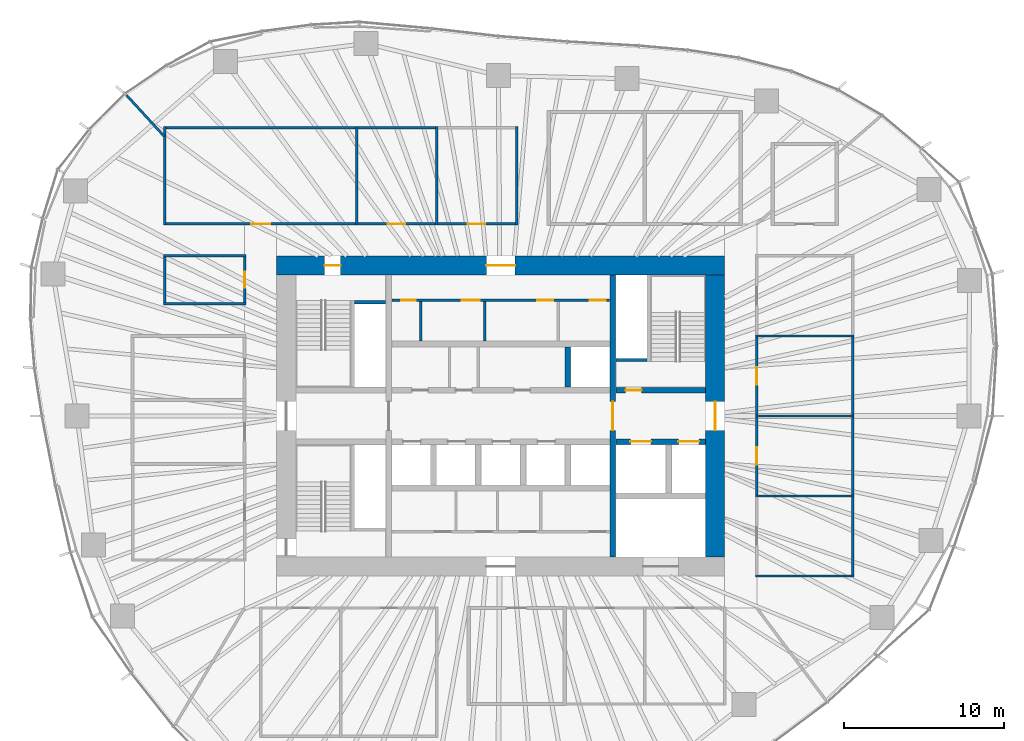
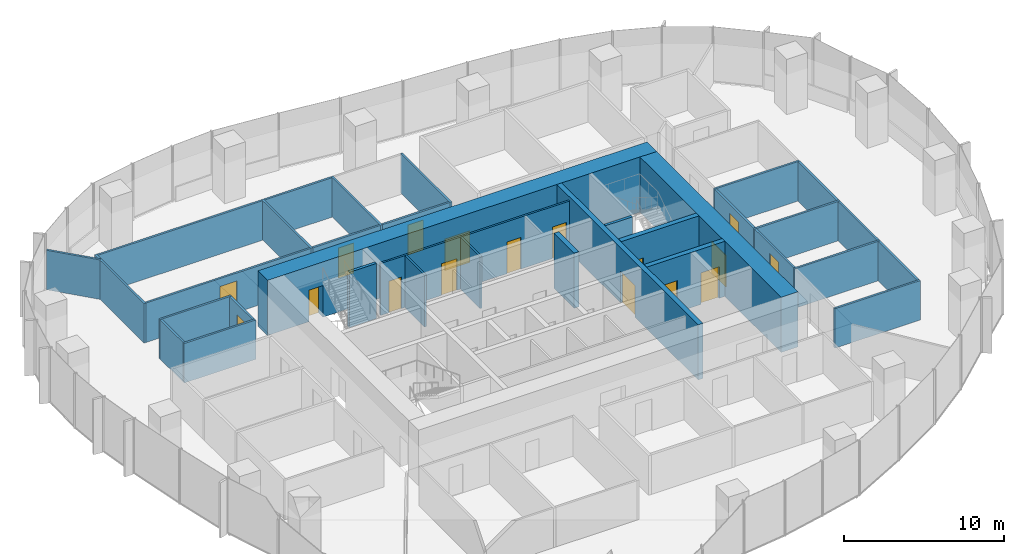
# One storey, part 10 of 18: 34 walls, 17 doors, 17 openings.
"""IFC4 building model written with IfcOpenShell, lengths in metres."""

from ifc_helpers import new_model, si_unit, direction, frame, frame_2d, origin, place, context, subcontext, project, spatial, rectangle, extrude, material, layer, layer_set, type_object, element, fill, save


model = new_model("IFC4")

# Units and contexts
model_context = context("Model", 3, precision=1e-05, world=origin(), true_north=direction((0.0, 1.0)))
body_context = subcontext(model_context, "Body", "Model", "MODEL_VIEW")
ifc_project = project(units=[si_unit("LENGTHUNIT", "METRE"), si_unit("AREAUNIT", "SQUARE_METRE"), si_unit("VOLUMEUNIT", "CUBIC_METRE"), si_unit("PLANEANGLEUNIT", "RADIAN"), si_unit("MASSUNIT", "GRAM", prefix="KILO")], contexts=[model_context])

# Site, building, storey
site_placement = place(None, origin())
site = spatial("IfcSite", under=ifc_project, at=site_placement, CompositionType="ELEMENT")
building_placement = place(site_placement, origin())
building = spatial("IfcBuilding", under=site, at=building_placement, Name="Ghaith Harvest Tower", CompositionType="ELEMENT")
storey_placement = place(building_placement, frame((0.0, 0.0, 130.199951171875)))
storey = spatial("IfcBuildingStorey", under=building, at=storey_placement, Name="L27", CompositionType="ELEMENT", Elevation=130.199951171875)

# Wall, openings, doors
ifc_material_1 = material(Name="Concrete blockwork, fair-faced", Category="masonry")
ifc_layer_1 = layer(ifc_material_1, 0.139892578125)
ifc_layer_set_1 = layer_set([ifc_layer_1], Name="CORE PARTITION 140")
wall_type_1 = type_object("IfcWallType", Name="CORE PARTITION 140", PredefinedType="PARTITIONING", material=ifc_layer_set_1)
wall_1_placement = place(storey_placement, frame((-6.800048828125, 7.22998046875, 0.0), z_axis=(0.0, 0.0, 1.0), x_axis=(1.0, 0.0, 0.0)))
wall_1 = element("IfcWall", 1, at=wall_1_placement, inside=storey, type_object=wall_type_1, Name="Core partition L27", PredefinedType="PARTITIONING", context=body_context, shape_type="SweptSolid", body=[
    extrude(rectangle(XDim=13.60009765625, YDim=0.139892578125, at=frame_2d((6.800048828125, 0.0))), origin(), (0.0, 0.0, 1.0), 3.949951171875),
])
opening_1_placement = place(wall_1_placement, frame((0.580078125, 0.0, 0.0)))
opening_1 = element("IfcOpeningElement", 2, at=opening_1_placement, cuts=wall_1, Name="Opening 27-008", PredefinedType="OPENING", context=body_context, shape_type="SweptSolid", body=[
    extrude(rectangle(XDim=0.89990234375, YDim=2.39990234375, at=frame_2d((0.449951171875, 1.199951171875))), frame((0.0, 0.080078125, 0.0), z_axis=(0.0, -1.0, 0.0), x_axis=(1.0, 0.0, 0.0)), (0.0, 0.0, 1.0), 0.159912109375),
])
opening_2_placement = place(wall_1_placement, frame((4.3798828125, 0.0, 0.0)))
opening_2 = element("IfcOpeningElement", 3, at=opening_2_placement, cuts=wall_1, Name="Opening 27-009", PredefinedType="OPENING", context=body_context, shape_type="SweptSolid", body=[
    extrude(rectangle(XDim=1.10009765625, YDim=2.39990234375, at=frame_2d((0.550048828125, 1.199951171875))), frame((0.0, 0.080078125, 0.0), z_axis=(0.0, -1.0, 0.0), x_axis=(1.0, 0.0, 0.0)), (0.0, 0.0, 1.0), 0.159912109375),
])
opening_3_placement = place(wall_1_placement, frame((9.080078125, 0.0, 0.0)))
opening_3 = element("IfcOpeningElement", 4, at=opening_3_placement, cuts=wall_1, Name="Opening 27-010", PredefinedType="OPENING", context=body_context, shape_type="SweptSolid", body=[
    extrude(rectangle(XDim=1.0, YDim=2.39990234375, at=frame_2d((0.5, 1.199951171875))), frame((0.0, 0.080078125, 0.0), z_axis=(0.0, -1.0, 0.0), x_axis=(1.0, 0.0, 0.0)), (0.0, 0.0, 1.0), 0.159912109375),
])
opening_4_placement = place(wall_1_placement, frame((12.35009765625, 0.0, 0.0)))
opening_4 = element("IfcOpeningElement", 5, at=opening_4_placement, cuts=wall_1, Name="Opening 27-011", PredefinedType="OPENING", context=body_context, shape_type="SweptSolid", body=[
    extrude(rectangle(XDim=1.0, YDim=2.39990234375, at=frame_2d((0.5, 1.199951171875))), frame((0.0, 0.080078125, 0.0), z_axis=(0.0, -1.0, 0.0), x_axis=(1.0, 0.0, 0.0)), (0.0, 0.0, 1.0), 0.159912109375),
])
ifc_material_2 = material(Name="Steel fire door", Category="steel")
door_type_1 = type_object("IfcDoorType", Name="D3 FD90 1000x2400", OperationType="SINGLE_SWING_LEFT", PredefinedType="DOOR", material=ifc_material_2)
door_1_placement = place(opening_3_placement, origin())
door_1 = element("IfcDoor", 6, at=door_1_placement, inside=storey, type_object=door_type_1, Name="Male WC door", OperationType="SINGLE_SWING_RIGHT", OverallHeight=2.39990234375, OverallWidth=1.0, PredefinedType="DOOR", context=body_context, shape_type="SweptSolid", body=[
    extrude(rectangle(XDim=1.0, YDim=2.39990234375, at=frame_2d((0.5, 1.199951171875))), frame((0.0, 0.02490234375, 0.0), z_axis=(0.0, -1.0, 0.0), x_axis=(1.0, 0.0, 0.0)), (0.0, 0.0, 1.0), 0.050048828125),
])
fill(opening_3, door_1)
door_2_placement = place(opening_4_placement, origin())
door_2 = element("IfcDoor", 7, at=door_2_placement, inside=storey, type_object=door_type_1, Name="Female WC door", OperationType="SINGLE_SWING_RIGHT", OverallHeight=2.39990234375, OverallWidth=1.0, PredefinedType="DOOR", context=body_context, shape_type="SweptSolid", body=[
    extrude(rectangle(XDim=1.0, YDim=2.39990234375, at=frame_2d((0.5, 1.199951171875))), frame((0.0, 0.02490234375, 0.0), z_axis=(0.0, -1.0, 0.0), x_axis=(1.0, 0.0, 0.0)), (0.0, 0.0, 1.0), 0.050048828125),
])
fill(opening_4, door_2)
ifc_material_3 = material(Name="Steel fire door", Category="steel")
door_type_2 = type_object("IfcDoorType", Name="D5 FD90 900x2400", OperationType="SINGLE_SWING_LEFT", PredefinedType="DOOR", material=ifc_material_3)
door_3_placement = place(opening_1_placement, origin())
door_3 = element("IfcDoor", 8, at=door_3_placement, inside=storey, type_object=door_type_2, Name="Cleaner's store door", OperationType="SINGLE_SWING_LEFT", OverallHeight=2.39990234375, OverallWidth=0.89990234375, PredefinedType="DOOR", context=body_context, shape_type="SweptSolid", body=[
    extrude(rectangle(XDim=0.89990234375, YDim=2.39990234375, at=frame_2d((0.449951171875, 1.199951171875))), frame((0.0, 0.02490234375, 0.0), z_axis=(0.0, -1.0, 0.0), x_axis=(1.0, 0.0, 0.0)), (0.0, 0.0, 1.0), 0.050048828125),
])
fill(opening_1, door_3)
ifc_material_4 = material(Name="Steel fire door", Category="steel")
door_type_3 = type_object("IfcDoorType", Name="D9 FD90 1100x2400", OperationType="SINGLE_SWING_LEFT", PredefinedType="DOOR", material=ifc_material_4)
door_4_placement = place(opening_2_placement, origin())
door_4 = element("IfcDoor", 9, at=door_4_placement, inside=storey, type_object=door_type_3, Name="Accessible WC door", OperationType="SINGLE_SWING_LEFT", OverallHeight=2.39990234375, OverallWidth=1.10009765625, PredefinedType="DOOR", context=body_context, shape_type="SweptSolid", body=[
    extrude(rectangle(XDim=1.10009765625, YDim=2.39990234375, at=frame_2d((0.550048828125, 1.199951171875))), frame((0.0, 0.02490234375, 0.0), z_axis=(0.0, -1.0, 0.0), x_axis=(1.0, 0.0, 0.0)), (0.0, 0.0, 1.0), 0.050048828125),
])
fill(opening_2, door_4)

# Walls
for number, where, z_axis, x_axis, name in (
    (10, (-5.0, 4.699951171875, 0.0), (0.0, 0.0, 1.0), (0.0, 1.0, 0.0), "Core partition L27"),
    (11, (-1.0, 4.699951171875, 0.0), (0.0, 0.0, 1.0), (0.0, 1.0, 0.0), "Core partition L27"),
):
    element("IfcWall", number, at=place(storey_placement, frame(where, z_axis=z_axis, x_axis=x_axis)), inside=storey, type_object=wall_type_1, Name=name, PredefinedType="PARTITIONING", context=body_context, shape_type="SweptSolid", body=[
        extrude(rectangle(XDim=2.4599609375, YDim=0.139892578125, at=frame_2d((1.22998046875, 0.0))), origin(), (0.0, 0.0, 1.0), 3.949951171875),
    ])

# Wall, openings, doors
ifc_material_5 = material(Name="Concrete C60/75", Category="concrete")
ifc_layer_2 = layer(ifc_material_5, 1.199951171875)
ifc_layer_set_2 = layer_set([ifc_layer_2], Name="CORE WALL CW1200 C60")
wall_type_2 = type_object("IfcWallType", Name="CORE WALL CW1200 C60", PredefinedType="SHEAR", material=ifc_layer_set_2)
wall_2_placement = place(storey_placement, frame((14.0, 9.39990234375, 0.0), z_axis=(0.0, 0.0, 1.0), x_axis=(-1.0, 0.0, 0.0)))
wall_2 = element("IfcWall", 12, at=wall_2_placement, inside=storey, type_object=wall_type_2, Name="Core wall N L27", PredefinedType="SHEAR", context=body_context, shape_type="SweptSolid", body=[
    extrude(rectangle(XDim=28.0, YDim=1.199951171875, at=frame_2d((14.0, 0.0))), origin(), (0.0, 0.0, 1.0), 4.199951171875),
])
opening_5_placement = place(wall_2_placement, frame((24.0, 0.0, 0.0)))
opening_5 = element("IfcOpeningElement", 13, at=opening_5_placement, cuts=wall_2, Name="Opening 27-005", PredefinedType="OPENING", context=body_context, shape_type="SweptSolid", body=[
    extrude(rectangle(XDim=1.0, YDim=2.39990234375, at=frame_2d((0.5, 1.199951171875))), frame((0.0, 0.60986328125, 0.0), z_axis=(0.0, -1.0, 0.0), x_axis=(1.0, 0.0, 0.0)), (0.0, 0.0, 1.0), 1.219970703125),
])
opening_6_placement = place(wall_2_placement, frame((13.10009765625, 0.0, 0.0)))
opening_6 = element("IfcOpeningElement", 14, at=opening_6_placement, cuts=wall_2, Name="Opening 27-019", PredefinedType="OPENING", context=body_context, shape_type="SweptSolid", body=[
    extrude(rectangle(XDim=1.800048828125, YDim=2.39990234375, at=frame_2d((0.89990234375, 1.199951171875))), frame((0.0, 0.60986328125, 0.0), z_axis=(0.0, -1.0, 0.0), x_axis=(1.0, 0.0, 0.0)), (0.0, 0.0, 1.0), 1.219970703125),
])
door_5_placement = place(opening_5_placement, origin())
door_5 = element("IfcDoor", 15, at=door_5_placement, inside=storey, type_object=door_type_1, Name="Stair ST1 door", OperationType="SINGLE_SWING_RIGHT", OverallHeight=2.39990234375, OverallWidth=1.0, PredefinedType="DOOR", context=body_context, shape_type="SweptSolid", body=[
    extrude(rectangle(XDim=1.0, YDim=2.39990234375, at=frame_2d((0.5, 1.199951171875))), frame((0.0, 0.02490234375, 0.0), z_axis=(0.0, -1.0, 0.0), x_axis=(1.0, 0.0, 0.0)), (0.0, 0.0, 1.0), 0.050048828125),
])
fill(opening_5, door_5)
ifc_material_6 = material(Name="Steel fire door", Category="steel")
door_type_4 = type_object("IfcDoorType", Name="D4 FD90 PAIR 1800x2400", OperationType="DOUBLE_DOOR_SINGLE_SWING", PredefinedType="DOOR", material=ifc_material_6)
door_6_placement = place(opening_6_placement, origin())
door_6 = element("IfcDoor", 16, at=door_6_placement, inside=storey, type_object=door_type_4, Name="Core service corridor doors", OperationType="DOUBLE_DOOR_SINGLE_SWING", OverallHeight=2.39990234375, OverallWidth=1.800048828125, PredefinedType="DOOR", context=body_context, shape_type="SweptSolid", body=[
    extrude(rectangle(XDim=1.800048828125, YDim=2.39990234375, at=frame_2d((0.89990234375, 1.199951171875))), frame((0.0, 0.02490234375, 0.0), z_axis=(0.0, -1.0, 0.0), x_axis=(1.0, 0.0, 0.0)), (0.0, 0.0, 1.0), 0.050048828125),
])
fill(opening_6, door_6)

# Wall, opening, door
wall_3_placement = place(storey_placement, frame((13.39990234375, -8.800048828125, 0.0), z_axis=(0.0, 0.0, 1.0), x_axis=(0.0, 1.0, 0.0)))
wall_3 = element("IfcWall", 17, at=wall_3_placement, inside=storey, type_object=wall_type_2, Name="Core wall E L27", PredefinedType="SHEAR", context=body_context, shape_type="SweptSolid", body=[
    extrude(rectangle(XDim=17.60009765625, YDim=1.199951171875, at=frame_2d((8.800048828125, 0.0))), origin(), (0.0, 0.0, 1.0), 4.199951171875),
])
opening_7_placement = place(wall_3_placement, frame((7.89990234375, 0.0, 0.0)))
opening_7 = element("IfcOpeningElement", 18, at=opening_7_placement, cuts=wall_3, Name="Opening 27-002", PredefinedType="OPENING", context=body_context, shape_type="SweptSolid", body=[
    extrude(rectangle(XDim=1.800048828125, YDim=2.39990234375, at=frame_2d((0.89990234375, 1.199951171875))), frame((0.0, 0.60986328125, 0.0), z_axis=(0.0, -1.0, 0.0), x_axis=(1.0, 0.0, 0.0)), (0.0, 0.0, 1.0), 1.219970703125),
])
door_7_placement = place(opening_7_placement, origin())
door_7 = element("IfcDoor", 19, at=door_7_placement, inside=storey, type_object=door_type_4, Name="Fire-fighting lobby doors", OperationType="DOUBLE_DOOR_SINGLE_SWING", OverallHeight=2.39990234375, OverallWidth=1.800048828125, PredefinedType="DOOR", context=body_context, shape_type="SweptSolid", body=[
    extrude(rectangle(XDim=1.800048828125, YDim=2.39990234375, at=frame_2d((0.89990234375, 1.199951171875))), frame((0.0, 0.02490234375, 0.0), z_axis=(0.0, -1.0, 0.0), x_axis=(1.0, 0.0, 0.0)), (0.0, 0.0, 1.0), 0.050048828125),
])
fill(opening_7, door_7)

# Walls
ifc_material_7 = material(Name="Gypsum board on steel studs", Category="steel")
ifc_layer_3 = layer(ifc_material_7, 0.14990234375)
ifc_layer_set_3 = layer_set([ifc_layer_3], Name="PARTITION 150")
wall_type_3 = type_object("IfcWallType", Name="PARTITION 150", PredefinedType="PARTITIONING", material=ifc_layer_set_3)
for number, where, z_axis, x_axis, name in (
    (20, (-21.0, 11.925048828125, 0.0), (0.0, 0.0, 1.0), (0.0, 1.0, 0.0), "Partition L27 row N1 cross wall 1"),
    (21, (-9.0, 11.925048828125, 0.0), (0.0, 0.0, 1.0), (0.0, 1.0, 0.0), "Partition L27 row N1 cross wall 2"),
    (22, (-4.0, 11.925048828125, 0.0), (0.0, 0.0, 1.0), (0.0, 1.0, 0.0), "Partition L27 row N1 cross wall 3"),
    (23, (1.0, 11.925048828125, 0.0), (0.0, 0.0, 1.0), (0.0, 1.0, 0.0), "Partition L27 row N1 cross wall 4"),
):
    element("IfcWall", number, at=place(storey_placement, frame(where, z_axis=z_axis, x_axis=x_axis)), inside=storey, type_object=wall_type_3, Name=name, PredefinedType="PARTITIONING", context=body_context, shape_type="SweptSolid", body=[
        extrude(rectangle(XDim=6.14990234375, YDim=0.14990234375, at=frame_2d((3.074951171875, 0.0))), origin(), (0.0, 0.0, 1.0), 3.0),
    ])

# Wall, opening, door
wall_4_placement = place(storey_placement, frame((-20.925048828125, 12.0, 0.0), z_axis=(0.0, 0.0, 1.0), x_axis=(1.0, 0.0, 0.0)))
wall_4 = element("IfcWall", 24, at=wall_4_placement, inside=storey, type_object=wall_type_3, Name="Partition L27-01", PredefinedType="PARTITIONING", context=body_context, shape_type="SweptSolid", body=[
    extrude(rectangle(XDim=11.85009765625, YDim=0.14990234375, at=frame_2d((5.925048828125, 0.0))), origin(), (0.0, 0.0, 1.0), 3.0),
])
opening_8_placement = place(wall_4_placement, frame((5.324951171875, 0.0, 0.0)))
opening_8 = element("IfcOpeningElement", 25, at=opening_8_placement, cuts=wall_4, Name="Opening 27-028", PredefinedType="OPENING", context=body_context, shape_type="SweptSolid", body=[
    extrude(rectangle(XDim=1.199951171875, YDim=2.39990234375, at=frame_2d((0.60009765625, 1.199951171875))), frame((0.0, 0.0849609375, 0.0), z_axis=(0.0, -1.0, 0.0), x_axis=(1.0, 0.0, 0.0)), (0.0, 0.0, 1.0), 0.169921875),
])
ifc_material_8 = material(Name="Timber door", Category="wood")
door_type_5 = type_object("IfcDoorType", Name="D11 GLAZED 1200x2400", OperationType="SINGLE_SWING_LEFT", PredefinedType="DOOR", material=ifc_material_8)
door_8_placement = place(opening_8_placement, origin())
door_8 = element("IfcDoor", 26, at=door_8_placement, inside=storey, type_object=door_type_5, Name="Operations room door", OperationType="SINGLE_SWING_LEFT", OverallHeight=2.39990234375, OverallWidth=1.199951171875, PredefinedType="DOOR", context=body_context, shape_type="SweptSolid", body=[
    extrude(rectangle(XDim=1.199951171875, YDim=2.39990234375, at=frame_2d((0.60009765625, 1.199951171875))), frame((0.0, 0.02490234375, 0.0), z_axis=(0.0, -1.0, 0.0), x_axis=(1.0, 0.0, 0.0)), (0.0, 0.0, 1.0), 0.050048828125),
])
fill(opening_8, door_8)

# Wall
wall_5_placement = place(storey_placement, frame((-20.925048828125, 18.0, 0.0), z_axis=(0.0, 0.0, 1.0), x_axis=(1.0, 0.0, 0.0)))
element("IfcWall", 27, at=wall_5_placement, inside=storey, type_object=wall_type_3, Name="Partition L27-01", PredefinedType="PARTITIONING", context=body_context, shape_type="SweptSolid", body=[
    extrude(rectangle(XDim=11.85009765625, YDim=0.14990234375, at=frame_2d((5.925048828125, 0.0))), origin(), (0.0, 0.0, 1.0), 3.0),
])

# Wall, opening, door
wall_6_placement = place(storey_placement, frame((-8.925048828125, 12.0, 0.0), z_axis=(0.0, 0.0, 1.0), x_axis=(1.0, 0.0, 0.0)))
wall_6 = element("IfcWall", 28, at=wall_6_placement, inside=storey, type_object=wall_type_3, Name="Partition L27-02", PredefinedType="PARTITIONING", context=body_context, shape_type="SweptSolid", body=[
    extrude(rectangle(XDim=4.85009765625, YDim=0.14990234375, at=frame_2d((2.425048828125, 0.0))), origin(), (0.0, 0.0, 1.0), 3.0),
])
opening_9_placement = place(wall_6_placement, frame((1.875, 0.0, 0.0)))
opening_9 = element("IfcOpeningElement", 29, at=opening_9_placement, cuts=wall_6, Name="Opening 27-029", PredefinedType="OPENING", context=body_context, shape_type="SweptSolid", body=[
    extrude(rectangle(XDim=1.10009765625, YDim=2.300048828125, at=frame_2d((0.550048828125, 1.14990234375))), frame((0.0, 0.0849609375, 0.0), z_axis=(0.0, -1.0, 0.0), x_axis=(1.0, 0.0, 0.0)), (0.0, 0.0, 1.0), 0.169921875),
])
ifc_material_9 = material(Name="Timber-framed glazed door", Category="wood")
door_type_6 = type_object("IfcDoorType", Name="D12 GLAZED OFFICE 1100x2300", OperationType="SINGLE_SWING_LEFT", PredefinedType="DOOR", material=ifc_material_9)
door_9_placement = place(opening_9_placement, origin())
door_9 = element("IfcDoor", 30, at=door_9_placement, inside=storey, type_object=door_type_6, Name="Office door", OperationType="SINGLE_SWING_LEFT", OverallHeight=2.300048828125, OverallWidth=1.10009765625, PredefinedType="DOOR", context=body_context, shape_type="SweptSolid", body=[
    extrude(rectangle(XDim=1.10009765625, YDim=2.300048828125, at=frame_2d((0.550048828125, 1.14990234375))), frame((0.0, 0.02490234375, 0.0), z_axis=(0.0, -1.0, 0.0), x_axis=(1.0, 0.0, 0.0)), (0.0, 0.0, 1.0), 0.050048828125),
])
fill(opening_9, door_9)

# Wall
wall_7_placement = place(storey_placement, frame((-8.925048828125, 18.0, 0.0), z_axis=(0.0, 0.0, 1.0), x_axis=(1.0, 0.0, 0.0)))
element("IfcWall", 31, at=wall_7_placement, inside=storey, type_object=wall_type_3, Name="Partition L27-02", PredefinedType="PARTITIONING", context=body_context, shape_type="SweptSolid", body=[
    extrude(rectangle(XDim=4.85009765625, YDim=0.14990234375, at=frame_2d((2.425048828125, 0.0))), origin(), (0.0, 0.0, 1.0), 3.0),
])

# Wall, opening, door
wall_8_placement = place(storey_placement, frame((-3.925048828125, 12.0, 0.0), z_axis=(0.0, 0.0, 1.0), x_axis=(1.0, 0.0, 0.0)))
wall_8 = element("IfcWall", 32, at=wall_8_placement, inside=storey, type_object=wall_type_3, Name="Partition L27-03", PredefinedType="PARTITIONING", context=body_context, shape_type="SweptSolid", body=[
    extrude(rectangle(XDim=4.85009765625, YDim=0.14990234375, at=frame_2d((2.425048828125, 0.0))), origin(), (0.0, 0.0, 1.0), 3.0),
])
opening_10_placement = place(wall_8_placement, frame((1.875, 0.0, 0.0)))
opening_10 = element("IfcOpeningElement", 33, at=opening_10_placement, cuts=wall_8, Name="Opening 27-030", PredefinedType="OPENING", context=body_context, shape_type="SweptSolid", body=[
    extrude(rectangle(XDim=1.10009765625, YDim=2.300048828125, at=frame_2d((0.550048828125, 1.14990234375))), frame((0.0, 0.0849609375, 0.0), z_axis=(0.0, -1.0, 0.0), x_axis=(1.0, 0.0, 0.0)), (0.0, 0.0, 1.0), 0.169921875),
])
door_10_placement = place(opening_10_placement, origin())
door_10 = element("IfcDoor", 34, at=door_10_placement, inside=storey, type_object=door_type_6, Name="Office door", OperationType="SINGLE_SWING_LEFT", OverallHeight=2.300048828125, OverallWidth=1.10009765625, PredefinedType="DOOR", context=body_context, shape_type="SweptSolid", body=[
    extrude(rectangle(XDim=1.10009765625, YDim=2.300048828125, at=frame_2d((0.550048828125, 1.14990234375))), frame((0.0, 0.02490234375, 0.0), z_axis=(0.0, -1.0, 0.0), x_axis=(1.0, 0.0, 0.0)), (0.0, 0.0, 1.0), 0.050048828125),
])
fill(opening_10, door_10)

# Walls
for number, where, z_axis, x_axis, name in (
    (35, (15.925048828125, -10.0, 0.0), (0.0, 0.0, 1.0), (1.0, 0.0, 0.0), "Partition L27 row E3 cross wall 1"),
    (36, (15.925048828125, -5.0, 0.0), (0.0, 0.0, 1.0), (1.0, 0.0, 0.0), "Partition L27 row E3 cross wall 2"),
    (37, (15.925048828125, 0.0, 0.0), (0.0, 0.0, 1.0), (1.0, 0.0, 0.0), "Partition L27 row E3 cross wall 3"),
    (38, (15.925048828125, 5.0, 0.0), (0.0, 0.0, 1.0), (1.0, 0.0, 0.0), "Partition L27 row E3 cross wall 4"),
):
    element("IfcWall", number, at=place(storey_placement, frame(where, z_axis=z_axis, x_axis=x_axis)), inside=storey, type_object=wall_type_3, Name=name, PredefinedType="PARTITIONING", context=body_context, shape_type="SweptSolid", body=[
        extrude(rectangle(XDim=6.14990234375, YDim=0.14990234375, at=frame_2d((3.074951171875, 0.0))), origin(), (0.0, 0.0, 1.0), 3.0),
    ])
wall_9_placement = place(storey_placement, frame((22.0, -9.925048828125, 0.0), z_axis=(0.0, 0.0, 1.0), x_axis=(0.0, 1.0, 0.0)))
element("IfcWall", 39, at=wall_9_placement, inside=storey, type_object=wall_type_3, Name="Partition L27-06", PredefinedType="PARTITIONING", context=body_context, shape_type="SweptSolid", body=[
    extrude(rectangle(XDim=4.85009765625, YDim=0.14990234375, at=frame_2d((2.425048828125, 0.0))), origin(), (0.0, 0.0, 1.0), 3.0),
])

# Wall, opening, door
wall_10_placement = place(storey_placement, frame((16.0, -4.925048828125, 0.0), z_axis=(0.0, 0.0, 1.0), x_axis=(0.0, 1.0, 0.0)))
wall_10 = element("IfcWall", 40, at=wall_10_placement, inside=storey, type_object=wall_type_3, Name="Partition L27-07", PredefinedType="PARTITIONING", context=body_context, shape_type="SweptSolid", body=[
    extrude(rectangle(XDim=4.85009765625, YDim=0.14990234375, at=frame_2d((2.425048828125, 0.0))), origin(), (0.0, 0.0, 1.0), 3.0),
])
opening_11_placement = place(wall_10_placement, frame((1.875, 0.0, 0.0)))
opening_11 = element("IfcOpeningElement", 41, at=opening_11_placement, cuts=wall_10, Name="Opening 27-034", PredefinedType="OPENING", context=body_context, shape_type="SweptSolid", body=[
    extrude(rectangle(XDim=1.10009765625, YDim=2.300048828125, at=frame_2d((0.550048828125, 1.14990234375))), frame((0.0, 0.0849609375, 0.0), z_axis=(0.0, -1.0, 0.0), x_axis=(1.0, 0.0, 0.0)), (0.0, 0.0, 1.0), 0.169921875),
])
door_11_placement = place(opening_11_placement, origin())
door_11 = element("IfcDoor", 42, at=door_11_placement, inside=storey, type_object=door_type_6, Name="Office door", OperationType="SINGLE_SWING_LEFT", OverallHeight=2.300048828125, OverallWidth=1.10009765625, PredefinedType="DOOR", context=body_context, shape_type="SweptSolid", body=[
    extrude(rectangle(XDim=1.10009765625, YDim=2.300048828125, at=frame_2d((0.550048828125, 1.14990234375))), frame((0.0, 0.02490234375, 0.0), z_axis=(0.0, -1.0, 0.0), x_axis=(1.0, 0.0, 0.0)), (0.0, 0.0, 1.0), 0.050048828125),
])
fill(opening_11, door_11)

# Wall
wall_11_placement = place(storey_placement, frame((22.0, -4.925048828125, 0.0), z_axis=(0.0, 0.0, 1.0), x_axis=(0.0, 1.0, 0.0)))
element("IfcWall", 43, at=wall_11_placement, inside=storey, type_object=wall_type_3, Name="Partition L27-07", PredefinedType="PARTITIONING", context=body_context, shape_type="SweptSolid", body=[
    extrude(rectangle(XDim=4.85009765625, YDim=0.14990234375, at=frame_2d((2.425048828125, 0.0))), origin(), (0.0, 0.0, 1.0), 3.0),
])

# Wall, opening, door
wall_12_placement = place(storey_placement, frame((16.0, 0.074951171875, 0.0), z_axis=(0.0, 0.0, 1.0), x_axis=(0.0, 1.0, 0.0)))
wall_12 = element("IfcWall", 44, at=wall_12_placement, inside=storey, type_object=wall_type_3, Name="Partition L27-08", PredefinedType="PARTITIONING", context=body_context, shape_type="SweptSolid", body=[
    extrude(rectangle(XDim=4.85009765625, YDim=0.14990234375, at=frame_2d((2.425048828125, 0.0))), origin(), (0.0, 0.0, 1.0), 3.0),
])
opening_12_placement = place(wall_12_placement, frame((1.875, 0.0, 0.0)))
opening_12 = element("IfcOpeningElement", 45, at=opening_12_placement, cuts=wall_12, Name="Opening 27-035", PredefinedType="OPENING", context=body_context, shape_type="SweptSolid", body=[
    extrude(rectangle(XDim=1.10009765625, YDim=2.300048828125, at=frame_2d((0.550048828125, 1.14990234375))), frame((0.0, 0.0849609375, 0.0), z_axis=(0.0, -1.0, 0.0), x_axis=(1.0, 0.0, 0.0)), (0.0, 0.0, 1.0), 0.169921875),
])
door_12_placement = place(opening_12_placement, origin())
door_12 = element("IfcDoor", 46, at=door_12_placement, inside=storey, type_object=door_type_6, Name="Office door", OperationType="SINGLE_SWING_LEFT", OverallHeight=2.300048828125, OverallWidth=1.10009765625, PredefinedType="DOOR", context=body_context, shape_type="SweptSolid", body=[
    extrude(rectangle(XDim=1.10009765625, YDim=2.300048828125, at=frame_2d((0.550048828125, 1.14990234375))), frame((0.0, 0.02490234375, 0.0), z_axis=(0.0, -1.0, 0.0), x_axis=(1.0, 0.0, 0.0)), (0.0, 0.0, 1.0), 0.050048828125),
])
fill(opening_12, door_12)

# Walls
wall_13_placement = place(storey_placement, frame((22.0, 0.074951171875, 0.0), z_axis=(0.0, 0.0, 1.0), x_axis=(0.0, 1.0, 0.0)))
element("IfcWall", 47, at=wall_13_placement, inside=storey, type_object=wall_type_3, Name="Partition L27-08", PredefinedType="PARTITIONING", context=body_context, shape_type="SweptSolid", body=[
    extrude(rectangle(XDim=4.85009765625, YDim=0.14990234375, at=frame_2d((2.425048828125, 0.0))), origin(), (0.0, 0.0, 1.0), 3.0),
])
for number, where, z_axis, x_axis, name in (
    (48, (-15.925048828125, 7.0, 0.0), (0.0, 0.0, 1.0), (-1.0, 0.0, 0.0), "Partition L27 row W8 cross wall 1"),
    (49, (-15.925048828125, 10.0, 0.0), (0.0, 0.0, 1.0), (-1.0, 0.0, 0.0), "Partition L27 row W8 cross wall 2"),
):
    element("IfcWall", number, at=place(storey_placement, frame(where, z_axis=z_axis, x_axis=x_axis)), inside=storey, type_object=wall_type_3, Name=name, PredefinedType="PARTITIONING", context=body_context, shape_type="SweptSolid", body=[
        extrude(rectangle(XDim=5.14990234375, YDim=0.14990234375, at=frame_2d((2.574951171875, 0.0))), origin(), (0.0, 0.0, 1.0), 3.0),
    ])

# Wall, opening, door
wall_14_placement = place(storey_placement, frame((-16.0, 7.074951171875, 0.0), z_axis=(0.0, 0.0, 1.0), x_axis=(0.0, 1.0, 0.0)))
wall_14 = element("IfcWall", 50, at=wall_14_placement, inside=storey, type_object=wall_type_3, Name="Partition L27-19", PredefinedType="PARTITIONING", context=body_context, shape_type="SweptSolid", body=[
    extrude(rectangle(XDim=2.85009765625, YDim=0.14990234375, at=frame_2d((1.425048828125, 0.0))), origin(), (0.0, 0.0, 1.0), 3.0),
])
opening_13_placement = place(wall_14_placement, frame((0.925048828125, 0.0, 0.0)))
opening_13 = element("IfcOpeningElement", 51, at=opening_13_placement, cuts=wall_14, Name="Opening 27-046", PredefinedType="OPENING", context=body_context, shape_type="SweptSolid", body=[
    extrude(rectangle(XDim=1.0, YDim=2.199951171875, at=frame_2d((0.5, 1.10009765625))), frame((0.0, 0.0849609375, 0.0), z_axis=(0.0, -1.0, 0.0), x_axis=(1.0, 0.0, 0.0)), (0.0, 0.0, 1.0), 0.169921875),
])
ifc_material_10 = material(Name="Timber door", Category="wood")
door_type_7 = type_object("IfcDoorType", Name="D1 SINGLE 1000x2200", OperationType="SINGLE_SWING_LEFT", PredefinedType="DOOR", material=ifc_material_10)
door_13_placement = place(opening_13_placement, origin())
door_13 = element("IfcDoor", 52, at=door_13_placement, inside=storey, type_object=door_type_7, Name="Store door", OperationType="SINGLE_SWING_LEFT", OverallHeight=2.199951171875, OverallWidth=1.0, PredefinedType="DOOR", context=body_context, shape_type="SweptSolid", body=[
    extrude(rectangle(XDim=1.0, YDim=2.199951171875, at=frame_2d((0.5, 1.10009765625))), frame((0.0, 0.02490234375, 0.0), z_axis=(0.0, -1.0, 0.0), x_axis=(1.0, 0.0, 0.0)), (0.0, 0.0, 1.0), 0.050048828125),
])
fill(opening_13, door_13)

# Walls
wall_15_placement = place(storey_placement, frame((-21.0, 7.074951171875, 0.0), z_axis=(0.0, 0.0, 1.0), x_axis=(0.0, 1.0, 0.0)))
element("IfcWall", 53, at=wall_15_placement, inside=storey, type_object=wall_type_3, Name="Partition L27-19", PredefinedType="PARTITIONING", context=body_context, shape_type="SweptSolid", body=[
    extrude(rectangle(XDim=2.85009765625, YDim=0.14990234375, at=frame_2d((1.425048828125, 0.0))), origin(), (0.0, 0.0, 1.0), 3.0),
])
wall_16_placement = place(storey_placement, frame((-21.02001953125, 17.4697265625, 0.0), z_axis=(0.0, 0.0, 1.0), x_axis=(-0.67615762792, 0.736756989927, 0.0)))
element("IfcWall", 54, at=wall_16_placement, inside=storey, type_object=wall_type_3, Name="Partition L27 zone division", PredefinedType="PARTITIONING", context=body_context, shape_type="SweptSolid", body=[
    extrude(rectangle(XDim=3.4970703125, YDim=0.14990234375, at=frame_2d((1.74853515625, 0.0))), origin(), (0.0, 0.0, 1.0), 3.0),
])

# Wall, opening, door
ifc_material_11 = material(Name="Concrete C60/75", Category="concrete")
ifc_layer_4 = layer(ifc_material_11, 0.35009765625)
ifc_layer_set_4 = layer_set([ifc_layer_4], Name="SHAFT WALL 350")
wall_type_4 = type_object("IfcWallType", Name="SHAFT WALL 350", PredefinedType="SHEAR", material=ifc_layer_set_4)
wall_17_placement = place(storey_placement, frame((7.0, -8.800048828125, 0.0), z_axis=(0.0, 0.0, 1.0), x_axis=(0.0, 1.0, 0.0)))
wall_17 = element("IfcWall", 55, at=wall_17_placement, inside=storey, type_object=wall_type_4, Name="Shaft wall W7E L27", PredefinedType="SHEAR", context=body_context, shape_type="SweptSolid", body=[
    extrude(rectangle(XDim=17.60009765625, YDim=0.35009765625, at=frame_2d((8.800048828125, 0.0))), origin(), (0.0, 0.0, 1.0), 4.199951171875),
])
opening_14_placement = place(wall_17_placement, frame((7.89990234375, 0.0, 0.0)))
opening_14 = element("IfcOpeningElement", 56, at=opening_14_placement, cuts=wall_17, Name="Opening 27-004", PredefinedType="OPENING", context=body_context, shape_type="SweptSolid", body=[
    extrude(rectangle(XDim=1.800048828125, YDim=2.39990234375, at=frame_2d((0.89990234375, 1.199951171875))), frame((0.0, 0.18505859375, 0.0), z_axis=(0.0, -1.0, 0.0), x_axis=(1.0, 0.0, 0.0)), (0.0, 0.0, 1.0), 0.3701171875),
])
door_14_placement = place(opening_14_placement, origin())
door_14 = element("IfcDoor", 57, at=door_14_placement, inside=storey, type_object=door_type_4, Name="Lift lobby doors, east", OperationType="DOUBLE_DOOR_SINGLE_SWING", OverallHeight=2.39990234375, OverallWidth=1.800048828125, PredefinedType="DOOR", context=body_context, shape_type="SweptSolid", body=[
    extrude(rectangle(XDim=1.800048828125, YDim=2.39990234375, at=frame_2d((0.89990234375, 1.199951171875))), frame((0.0, 0.02490234375, 0.0), z_axis=(0.0, -1.0, 0.0), x_axis=(1.0, 0.0, 0.0)), (0.0, 0.0, 1.0), 0.050048828125),
])
fill(opening_14, door_14)

wall_18_placement = place(storey_placement, frame((7.199951171875, 1.60009765625, 0.0), z_axis=(0.0, 0.0, 1.0), x_axis=(1.0, 0.0, 0.0)))
wall_18 = element("IfcWall", 58, at=wall_18_placement, inside=storey, type_object=wall_type_4, Name="Shaft wall EN L27", PredefinedType="SHEAR", context=body_context, shape_type="SweptSolid", body=[
    extrude(rectangle(XDim=5.60009765625, YDim=0.35009765625, at=frame_2d((2.800048828125, 0.0))), origin(), (0.0, 0.0, 1.0), 4.199951171875),
])
opening_15_placement = place(wall_18_placement, frame((0.60009765625, 0.0, 0.0)))
opening_15 = element("IfcOpeningElement", 59, at=opening_15_placement, cuts=wall_18, Name="Opening 27-007", PredefinedType="OPENING", context=body_context, shape_type="SweptSolid", body=[
    extrude(rectangle(XDim=1.0, YDim=2.39990234375, at=frame_2d((0.5, 1.199951171875))), frame((0.0, 0.18505859375, 0.0), z_axis=(0.0, -1.0, 0.0), x_axis=(1.0, 0.0, 0.0)), (0.0, 0.0, 1.0), 0.3701171875),
])
door_15_placement = place(opening_15_placement, origin())
door_15 = element("IfcDoor", 60, at=door_15_placement, inside=storey, type_object=door_type_1, Name="Stair ST2 door", OperationType="SINGLE_SWING_LEFT", OverallHeight=2.39990234375, OverallWidth=1.0, PredefinedType="DOOR", context=body_context, shape_type="SweptSolid", body=[
    extrude(rectangle(XDim=1.0, YDim=2.39990234375, at=frame_2d((0.5, 1.199951171875))), frame((0.0, 0.02490234375, 0.0), z_axis=(0.0, -1.0, 0.0), x_axis=(1.0, 0.0, 0.0)), (0.0, 0.0, 1.0), 0.050048828125),
])
fill(opening_15, door_15)

# Wall, openings, doors
wall_19_placement = place(storey_placement, frame((7.199951171875, -1.60009765625, 0.0), z_axis=(0.0, 0.0, 1.0), x_axis=(1.0, 0.0, 0.0)))
wall_19 = element("IfcWall", 61, at=wall_19_placement, inside=storey, type_object=wall_type_4, Name="Shaft wall ES L27", PredefinedType="SHEAR", context=body_context, shape_type="SweptSolid", body=[
    extrude(rectangle(XDim=5.60009765625, YDim=0.35009765625, at=frame_2d((2.800048828125, 0.0))), origin(), (0.0, 0.0, 1.0), 4.199951171875),
])
opening_16_placement = place(wall_19_placement, frame((0.89990234375, 0.0, 0.0)))
opening_16 = element("IfcOpeningElement", 62, at=opening_16_placement, cuts=wall_19, Name="Opening 27-025", PredefinedType="OPENING", context=body_context, shape_type="SweptSolid", body=[
    extrude(rectangle(XDim=1.300048828125, YDim=2.39990234375, at=frame_2d((0.64990234375, 1.199951171875))), frame((0.0, 0.18505859375, 0.0), z_axis=(0.0, -1.0, 0.0), x_axis=(1.0, 0.0, 0.0)), (0.0, 0.0, 1.0), 0.3701171875),
])
opening_17_placement = place(wall_19_placement, frame((3.89990234375, 0.0, 0.0)))
opening_17 = element("IfcOpeningElement", 63, at=opening_17_placement, cuts=wall_19, Name="Opening 27-026", PredefinedType="OPENING", context=body_context, shape_type="SweptSolid", body=[
    extrude(rectangle(XDim=1.300048828125, YDim=2.39990234375, at=frame_2d((0.64990234375, 1.199951171875))), frame((0.0, 0.18505859375, 0.0), z_axis=(0.0, -1.0, 0.0), x_axis=(1.0, 0.0, 0.0)), (0.0, 0.0, 1.0), 0.3701171875),
])
ifc_material_12 = material(Name="Steel fire door", Category="steel")
door_type_8 = type_object("IfcDoorType", Name="LD2 LANDING 1300x2400", OperationType="DOUBLE_DOOR_SLIDING", PredefinedType="DOOR", material=ifc_material_12)
door_16_placement = place(opening_16_placement, origin())
door_16 = element("IfcDoor", 64, at=door_16_placement, inside=storey, type_object=door_type_8, Name="Landing door, fire service lift FL1", OperationType="DOUBLE_DOOR_SLIDING", OverallHeight=2.39990234375, OverallWidth=1.300048828125, PredefinedType="DOOR", context=body_context, shape_type="SweptSolid", body=[
    extrude(rectangle(XDim=1.300048828125, YDim=2.39990234375, at=frame_2d((0.64990234375, 1.199951171875))), frame((0.0, 0.02490234375, 0.0), z_axis=(0.0, -1.0, 0.0), x_axis=(1.0, 0.0, 0.0)), (0.0, 0.0, 1.0), 0.050048828125),
])
fill(opening_16, door_16)
door_17_placement = place(opening_17_placement, origin())
door_17 = element("IfcDoor", 65, at=door_17_placement, inside=storey, type_object=door_type_8, Name="Landing door, fire service lift FL2", OperationType="DOUBLE_DOOR_SLIDING", OverallHeight=2.39990234375, OverallWidth=1.300048828125, PredefinedType="DOOR", context=body_context, shape_type="SweptSolid", body=[
    extrude(rectangle(XDim=1.300048828125, YDim=2.39990234375, at=frame_2d((0.64990234375, 1.199951171875))), frame((0.0, 0.02490234375, 0.0), z_axis=(0.0, -1.0, 0.0), x_axis=(1.0, 0.0, 0.0)), (0.0, 0.0, 1.0), 0.050048828125),
])
fill(opening_17, door_17)

# Walls
wall_20_placement = place(storey_placement, frame((4.199951171875, 1.800048828125, 0.0), z_axis=(0.0, 0.0, 1.0), x_axis=(0.0, 1.0, 0.0)))
element("IfcWall", 66, at=wall_20_placement, inside=storey, type_object=wall_type_4, Name="Shaft wall DN4 L27", PredefinedType="SHEAR", context=body_context, shape_type="SweptSolid", body=[
    extrude(rectangle(XDim=2.5, YDim=0.35009765625, at=frame_2d((1.25, 0.0))), origin(), (0.0, 0.0, 1.0), 4.199951171875),
])
ifc_material_13 = material(Name="Concrete C40/50", Category="concrete")
ifc_layer_5 = layer(ifc_material_13, 0.199951171875)
ifc_layer_set_5 = layer_set([ifc_layer_5], Name="STAIR SPINE WALL RC200")
wall_type_5 = type_object("IfcWallType", Name="STAIR SPINE WALL RC200", PredefinedType="SOLIDWALL", material=ifc_layer_set_5)
for number, where, z_axis, x_axis, name in (
    (67, (-9.14990234375, 7.10009765625, 0.0), (0.0, 0.0, 1.0), (1.0, 0.0, 0.0), "Stair ST1 spine wall return L27"),
    (68, (9.14990234375, 3.5, 0.0), (0.0, 0.0, 1.0), (-1.0, 0.0, 0.0), "Stair ST2 spine wall return L27"),
):
    element("IfcWall", number, at=place(storey_placement, frame(where, z_axis=z_axis, x_axis=x_axis)), inside=storey, type_object=wall_type_5, Name=name, PredefinedType="SOLIDWALL", context=body_context, shape_type="SweptSolid", body=[
        extrude(rectangle(XDim=1.949951171875, YDim=0.199951171875, at=frame_2d((0.97509765625, 0.0))), origin(), (0.0, 0.0, 1.0), 4.199951171875),
    ])

save(model, "model.ifc")
